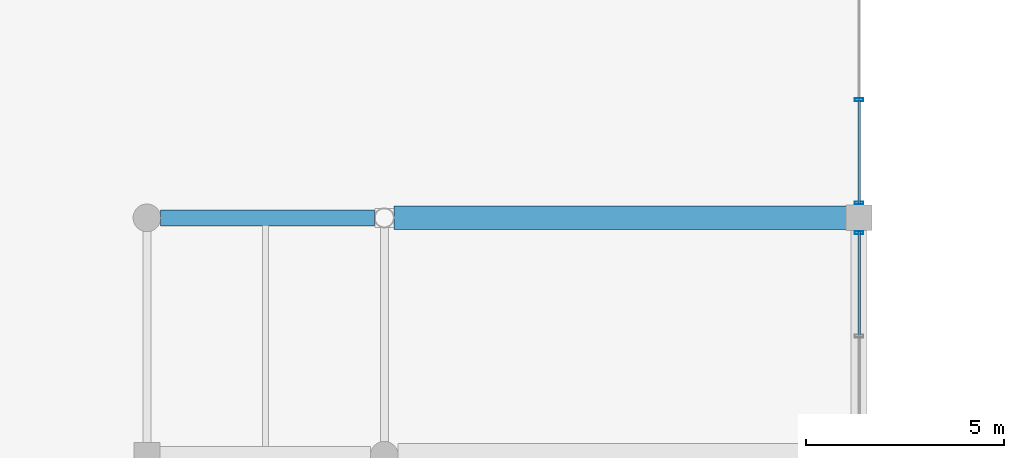
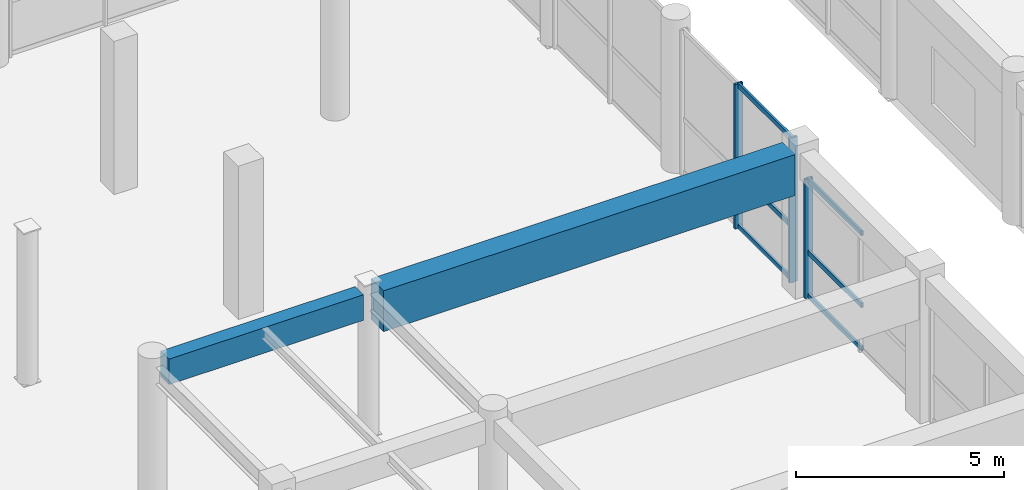
# One storey, part 59 of 116: 9 members, 2 beams, 2 elements without a shape of their own.
"""IFC4 building model written with IfcOpenShell, lengths in metres."""

import ifcopenshell
import ifcopenshell.guid

model = None  # the IFC model being written
_history = None  # IfcOwnerHistory: only IFC2X3 demands one
_inside = {}  # id of a spatial element -> (the spatial element, [elements in it])
_under = {}  # id of a project, library or spatial element -> (it, [spatial elements below it])
_declared = {}  # id of a project -> (the project, [libraries it declares])
_typed = {}  # id of a type object -> (the type object, [elements of that type])
_made_of = {}  # id of a material, layer set ... -> (it, [elements and type objects made of it])


def new_model(schema):
    """Start an empty IFC model of exactly this schema.

    Asked for "IFC4X3", IfcOpenShell would pick the latest addendum, in which some entities
    have other attributes; the version numbers below select the first issue.
    IFC2X3 requires an IfcOwnerHistory on every rooted entity: one is made here for all.
    """
    global model, _history
    if schema == "IFC4X3":
        model = ifcopenshell.file(schema_version=(4, 3, 0, 0))
    else:
        model = ifcopenshell.file(schema=schema)
    _inside.clear()
    _under.clear()
    _declared.clear()
    _typed.clear()
    _made_of.clear()
    _history = None
    if model.schema == "IFC2X3":
        org = make("IfcOrganization", Name="unknown")
        user = make(
            "IfcPersonAndOrganization",
            ThePerson=make("IfcPerson", FamilyName="unknown"),
            TheOrganization=org,
        )
        app = make(
            "IfcApplication",
            ApplicationDeveloper=org,
            Version="unknown",
            ApplicationFullName="unknown",
            ApplicationIdentifier="unknown",
        )
        _history = make(
            "IfcOwnerHistory",
            OwningUser=user,
            OwningApplication=app,
            ChangeAction="ADDED",
            CreationDate=0,
        )
    return model


def make(cls, **values):
    """One entity of the class cls with the attributes given. An attribute that is None is left unset."""
    return model.create_entity(
        cls, **{name: value for name, value in values.items() if value is not None}
    )


def rooted(cls, **values):
    """An entity with a GlobalId (a new one), such as an element, a storey or a relation."""
    return make(cls, GlobalId=ifcopenshell.guid.new(), OwnerHistory=_history, **values)


def si_unit(unit_type, name, prefix=None):
    """IfcSIUnit, for example si_unit("LENGTHUNIT", "METRE", prefix="MILLI")."""
    return make("IfcSIUnit", UnitType=unit_type, Prefix=prefix, Name=name)


def assignment(units):
    """IfcUnitAssignment: the units of a project."""
    return None if units is None else make("IfcUnitAssignment", Units=units)


def point(xyz):
    """IfcCartesianPoint."""
    return None if xyz is None else make("IfcCartesianPoint", Coordinates=xyz)


def direction(xyz):
    """IfcDirection."""
    return None if xyz is None else make("IfcDirection", DirectionRatios=xyz)


def frame(location, z_axis=None, x_axis=None):
    """IfcAxis2Placement3D, a coordinate frame: its origin and axes. An axis left out is left unset."""
    return make(
        "IfcAxis2Placement3D",
        Location=point(location),
        Axis=direction(z_axis),
        RefDirection=direction(x_axis),
    )


def frame_2d(location, x_axis=None):
    """IfcAxis2Placement2D, a coordinate frame in the plane: its origin and x axis."""
    return make(
        "IfcAxis2Placement2D", Location=point(location), RefDirection=direction(x_axis)
    )


def origin():
    """The frame at (0, 0, 0) with its axes left unset."""
    return frame((0.0, 0.0, 0.0))


def origin_2d():
    """The frame at (0, 0) in the plane with its x axis left unset."""
    return frame_2d((0.0, 0.0))


def place(relative_to, where):
    """IfcLocalPlacement: puts the frame where relative to a parent placement (None: the world)."""
    return make(
        "IfcLocalPlacement", PlacementRelTo=relative_to, RelativePlacement=where
    )


def context(
    kind, dimensions, precision=None, world=None, true_north=None, identifier=None
):
    """IfcGeometricRepresentationContext, for example the 3D "Model" context."""
    return make(
        "IfcGeometricRepresentationContext",
        ContextIdentifier=identifier,
        ContextType=kind,
        CoordinateSpaceDimension=dimensions,
        Precision=precision,
        WorldCoordinateSystem=world,
        TrueNorth=true_north,
    )


def subcontext(parent, identifier, kind, view, scale=None):
    """IfcGeometricRepresentationSubContext, for example "Body" below "Model"."""
    return make(
        "IfcGeometricRepresentationSubContext",
        ContextIdentifier=identifier,
        ContextType=kind,
        ParentContext=parent,
        TargetScale=scale,
        TargetView=view,
    )


def project(units=None, contexts=None):
    """IfcProject with its units and contexts."""
    return rooted(
        "IfcProject",
        Name="project",
        RepresentationContexts=contexts,
        UnitsInContext=assignment(units),
    )


def spatial(cls, under=None, at=None, **own):
    """A site, building, storey or space (cls), placed at a placement, below another one or the project."""
    s = rooted(cls, ObjectPlacement=at, **own)
    if under is not None:
        _under.setdefault(under.id(), (under, []))[1].append(s)
    return s


def profile(cls, at=None, kind="AREA", **sizes):
    """A parametric profile (cls). Its sizes go by their IFC names, for example OverallWidth=200.0."""
    return make(cls, ProfileType=kind, Position=at, **sizes)


def rectangle(**sizes):
    """IfcRectangleProfileDef."""
    return profile("IfcRectangleProfileDef", **sizes)


def hollow_rectangle(**sizes):
    """IfcRectangleHollowProfileDef."""
    return profile("IfcRectangleHollowProfileDef", **sizes)


def extrude(swept, where, along, depth):
    """IfcExtrudedAreaSolid: the profile swept, set in the frame where, extruded along a direction by depth."""
    return make(
        "IfcExtrudedAreaSolid",
        SweptArea=swept,
        Position=where,
        ExtrudedDirection=direction(along),
        Depth=depth,
    )


def shape(context_of_items, identifier, shape_type, items):
    """IfcShapeRepresentation: the items that make up one representation, for example the "Body"."""
    return make(
        "IfcShapeRepresentation",
        ContextOfItems=context_of_items,
        RepresentationIdentifier=identifier,
        RepresentationType=shape_type,
        Items=items,
    )


def material(Name=None, Category=None):
    """IfcMaterial."""
    return make("IfcMaterial", Name=Name, Category=Category)


def material_profile(
    of_material, cross_section, Name=None, Category=None, Priority=None
):
    """IfcMaterialProfile: a cross section and its material."""
    return make(
        "IfcMaterialProfile",
        Name=Name,
        Material=of_material,
        Profile=cross_section,
        Priority=Priority,
        Category=Category,
    )


def profile_set(profiles, Name=None, composite=None):
    """IfcMaterialProfileSet."""
    return make(
        "IfcMaterialProfileSet",
        Name=Name,
        MaterialProfiles=profiles,
        CompositeProfile=composite,
    )


def made_of(thing, what):
    """Note that an element or type object is made of a material, layer set ...; save() writes the relation."""
    if what is not None:
        _made_of.setdefault(what.id(), (what, []))[1].append(thing)
    return thing


def type_object(cls, material=None, **own):
    """A type object (cls), such as IfcWallType, which elements share."""
    return made_of(rooted(cls, **own), material)


def element(
    cls,
    number,
    at=None,
    inside=None,
    cuts=None,
    type_object=None,
    material=None,
    context=None,
    identifier="Body",
    shape_type=None,
    held_by="IfcProductDefinitionShape",
    body=None,
    shapes=None,
    **own,
):
    """One element of the class cls, such as IfcWall. Its Tag is "e" and its number.

    at: its placement. inside: the storey or other place that contains it. cuts: it is an
    opening in that element (IfcRelVoidsElement). A single representation is given by context,
    identifier, shape_type and body (its items); several are given by shapes. held_by: the class
    of the entity that holds the representations. save() writes the other relations.
    """
    e = rooted(cls, Tag="e%d" % number, ObjectPlacement=at, **own)
    if body is not None:
        shapes = [shape(context, identifier, shape_type, body)]
    if shapes is not None:
        e.Representation = make(held_by, Representations=shapes)
    if inside is not None:
        _inside.setdefault(inside.id(), (inside, []))[1].append(e)
    if cuts is not None:
        rooted(
            "IfcRelVoidsElement", RelatingBuildingElement=cuts, RelatedOpeningElement=e
        )
    if type_object is not None:
        _typed.setdefault(type_object.id(), (type_object, []))[1].append(e)
    return made_of(e, material)


def aggregate(whole, parts):
    """IfcRelAggregates: a whole, such as a stair, and the parts it consists of."""
    return rooted("IfcRelAggregates", RelatingObject=whole, RelatedObjects=parts)


def save(model, path):
    """Write the relations noted so far, then the file.

    IfcRelAggregates (storeys below a building ...), IfcRelContainedInSpatialStructure (elements
    in a storey), IfcRelDefinesByType, IfcRelAssociatesMaterial and IfcRelDeclares: one each for
    every whole, place, type object, material and project.
    """
    for whole, parts in _under.values():
        aggregate(whole, parts)
    for where, things in _inside.values():
        rooted(
            "IfcRelContainedInSpatialStructure",
            RelatedElements=things,
            RelatingStructure=where,
        )
    for kind, things in _typed.values():
        rooted("IfcRelDefinesByType", RelatedObjects=things, RelatingType=kind)
    for what, things in _made_of.values():
        rooted("IfcRelAssociatesMaterial", RelatedObjects=things, RelatingMaterial=what)
    for by, libraries in _declared.values():
        rooted("IfcRelDeclares", RelatingContext=by, RelatedDefinitions=libraries)
    model.write(path)


model = new_model("IFC4")

# Units and contexts
model_context = context("Model", 3, precision=1e-05, world=origin(), true_north=direction((0.0, 1.0)))
body_context = subcontext(model_context, "Body", "Model", "MODEL_VIEW")
ifc_project = project(units=[si_unit("LENGTHUNIT", "METRE"), si_unit("AREAUNIT", "SQUARE_METRE"), si_unit("VOLUMEUNIT", "CUBIC_METRE"), si_unit("PLANEANGLEUNIT", "RADIAN"), si_unit("MASSUNIT", "GRAM", prefix="KILO"), si_unit("THERMODYNAMICTEMPERATUREUNIT", "KELVIN"), si_unit("POWERUNIT", "WATT")], contexts=[model_context])

# Site, building, storey
site_placement = place(None, origin())
site = spatial("IfcSite", under=ifc_project, at=site_placement, CompositionType="ELEMENT")
building_placement = place(site_placement, origin())
building = spatial("IfcBuilding", under=site, at=building_placement, Name="Phaisarnlok Congress Hotel", CompositionType="ELEMENT")
storey_placement = place(building_placement, frame((0.0, 0.0, 10.5)))
storey = spatial("IfcBuildingStorey", under=building, at=storey_placement, Name="L02", CompositionType="ELEMENT", Elevation=10.5)

# Beam
ifc_material_1 = material(Name="Concrete C50/60", Category="concrete")
ifc_material_profile_1 = material_profile(ifc_material_1, rectangle(XDim=0.60009765625, YDim=1.199951171875, at=origin_2d()), Name="RC 600x1200")
ifc_profile_set_1 = profile_set([ifc_material_profile_1], Name="Concrete C50/60")
beam_type_1 = type_object("IfcBeamType", Name="BM-RC-600x1200", PredefinedType="BEAM", material=ifc_profile_set_1)
beam_1_placement = place(storey_placement, frame((144.2490234375, 66.0, 3.639892578125), z_axis=(1.0, 0.0, 0.0), x_axis=(0.0, 1.0, 0.0)))
element("IfcBeam", 1, at=beam_1_placement, inside=storey, type_object=beam_type_1, Name="Ramp bay 12m girder B-06", PredefinedType="BEAM", context=body_context, shape_type="SweptSolid", body=[
    extrude(rectangle(XDim=0.60009765625, YDim=1.199951171875, at=origin_2d()), origin(), (0.0, 0.0, 1.0), 11.430908203125),
])

# Curtain wall, member
ifc_material_2 = material(Name="Thermally Broken Unitised Aluminium & Low-E Glazing", Category="aluminium")
curtain_wall_type_1 = type_object("IfcCurtainWallType", Name="CW-UNIT-16", PredefinedType="NOTDEFINED", material=ifc_material_2)
curtain_wall_1_placement = place(storey_placement, origin())
curtain_wall_1 = element("IfcCurtainWall", 2, at=curtain_wall_1_placement, inside=storey, type_object=curtain_wall_type_1, Name="Unitised curtain wall CW-16 (L02)", PredefinedType="NOTDEFINED")
ifc_material_3 = material(Name="Anodised Aluminium Alloy 6063-T6", Category="aluminium")
ifc_material_profile_2 = material_profile(ifc_material_3, hollow_rectangle(XDim=0.074951171875, YDim=0.219970703125, WallThickness=0.0048828125, at=origin_2d()), Name="ALU-M 75x220x5")
ifc_profile_set_2 = profile_set([ifc_material_profile_2], Name="Anodised Aluminium Alloy 6063-T6")
member_type_1 = type_object("IfcMemberType", Name="CWM-220", PredefinedType="MULLION", material=ifc_profile_set_2)
member_1_placement = place(storey_placement, frame((156.0, 65.625, 0.0), z_axis=(0.0, 0.0, 1.0), x_axis=(0.0, 1.0, 0.0)))
member_1 = element("IfcMember", 3, at=member_1_placement, type_object=member_type_1, Name="Curtain wall mullion CWM-02", PredefinedType="MULLION", context=body_context, shape_type="SweptSolid", body=[
    extrude(hollow_rectangle(XDim=0.074951171875, YDim=0.219970703125, WallThickness=0.0048828125, at=origin_2d()), origin(), (0.0, 0.0, 1.0), 3.489990234375),
])

# Curtain wall, members
curtain_wall_type_2 = type_object("IfcCurtainWallType", Name="CW-UNIT-25", PredefinedType="NOTDEFINED", material=ifc_material_2)
curtain_wall_2_placement = place(storey_placement, origin())
curtain_wall_2 = element("IfcCurtainWall", 4, at=curtain_wall_2_placement, inside=storey, type_object=curtain_wall_type_2, Name="Unitised curtain wall CW-25 (L02)", PredefinedType="NOTDEFINED")
member_2_placement = place(storey_placement, frame((156.0, 66.375, 0.0), z_axis=(0.0, 0.0, 1.0), x_axis=(0.0, 1.0, 0.0)))
member_2 = element("IfcMember", 5, at=member_2_placement, type_object=member_type_1, Name="Curtain wall mullion CWM-02", PredefinedType="MULLION", context=body_context, shape_type="SweptSolid", body=[
    extrude(hollow_rectangle(XDim=0.074951171875, YDim=0.219970703125, WallThickness=0.0048828125, at=origin_2d()), origin(), (0.0, 0.0, 1.0), 4.239990234375),
])
member_3_placement = place(storey_placement, frame((156.0, 68.987548828125, 0.0), z_axis=(0.0, 0.0, 1.0), x_axis=(0.0, 1.0, 0.0)))
member_3 = element("IfcMember", 6, at=member_3_placement, type_object=member_type_1, Name="Curtain wall mullion CWM-02", PredefinedType="MULLION", context=body_context, shape_type="SweptSolid", body=[
    extrude(hollow_rectangle(XDim=0.074951171875, YDim=0.219970703125, WallThickness=0.0048828125, at=origin_2d()), origin(), (0.0, 0.0, 1.0), 4.239990234375),
])

# Member
ifc_material_profile_3 = material_profile(ifc_material_3, hollow_rectangle(XDim=0.06494140625, YDim=0.139892578125, WallThickness=0.00390625, at=origin_2d()), Name="ALU-T 65x140x4")
ifc_profile_set_3 = profile_set([ifc_material_profile_3], Name="Anodised Aluminium Alloy 6063-T6")
member_type_2 = type_object("IfcMemberType", Name="CWT-150", PredefinedType="USERDEFINED", material=ifc_profile_set_3)
member_4_placement = place(storey_placement, frame((156.0, 63.027587890625, 0.050048828125), z_axis=(0.0, 1.0, 0.0), x_axis=(-1.0, 0.0, 0.0)))
member_4 = element("IfcMember", 7, at=member_4_placement, type_object=member_type_2, Name="Curtain wall transom CWT-01", ObjectType="TRANSOM", PredefinedType="USERDEFINED", context=body_context, shape_type="SweptSolid", body=[
    extrude(hollow_rectangle(XDim=0.06494140625, YDim=0.139892578125, WallThickness=0.00390625, at=origin_2d()), origin(), (0.0, 0.0, 1.0), 2.622314453125),
])

member_5_placement = place(storey_placement, frame((156.0, 63.027587890625, 1.326171875), z_axis=(0.0, 1.0, 0.0), x_axis=(-1.0, 0.0, 0.0)))
member_5 = element("IfcMember", 8, at=member_5_placement, type_object=member_type_2, Name="Curtain wall transom CWT-01", ObjectType="TRANSOM", PredefinedType="USERDEFINED", context=body_context, shape_type="SweptSolid", body=[
    extrude(hollow_rectangle(XDim=0.06494140625, YDim=0.139892578125, WallThickness=0.00390625, at=origin_2d()), origin(), (0.0, 0.0, 1.0), 2.622314453125),
])

member_6_placement = place(storey_placement, frame((156.0, 63.027587890625, 3.43994140625), z_axis=(0.0, 1.0, 0.0), x_axis=(-1.0, 0.0, 0.0)))
member_6 = element("IfcMember", 9, at=member_6_placement, type_object=member_type_2, Name="Curtain wall transom CWT-01", ObjectType="TRANSOM", PredefinedType="USERDEFINED", context=body_context, shape_type="SweptSolid", body=[
    extrude(hollow_rectangle(XDim=0.06494140625, YDim=0.139892578125, WallThickness=0.00390625, at=origin_2d()), origin(), (0.0, 0.0, 1.0), 2.622314453125),
])

aggregate(curtain_wall_1, [member_1, member_4, member_5, member_6])

member_7_placement = place(storey_placement, frame((156.0, 66.35009765625, 0.050048828125), z_axis=(0.0, 1.0, 0.0), x_axis=(-1.0, 0.0, 0.0)))
member_7 = element("IfcMember", 10, at=member_7_placement, type_object=member_type_2, Name="Curtain wall transom CWT-01", ObjectType="TRANSOM", PredefinedType="USERDEFINED", context=body_context, shape_type="SweptSolid", body=[
    extrude(hollow_rectangle(XDim=0.06494140625, YDim=0.139892578125, WallThickness=0.00390625, at=origin_2d()), origin(), (0.0, 0.0, 1.0), 2.622314453125),
])

member_8_placement = place(storey_placement, frame((156.0, 66.35009765625, 1.611083984375), z_axis=(0.0, 1.0, 0.0), x_axis=(-1.0, 0.0, 0.0)))
member_8 = element("IfcMember", 11, at=member_8_placement, type_object=member_type_2, Name="Curtain wall transom CWT-01", ObjectType="TRANSOM", PredefinedType="USERDEFINED", context=body_context, shape_type="SweptSolid", body=[
    extrude(hollow_rectangle(XDim=0.06494140625, YDim=0.139892578125, WallThickness=0.00390625, at=origin_2d()), origin(), (0.0, 0.0, 1.0), 2.622314453125),
])

member_9_placement = place(storey_placement, frame((156.0, 66.35009765625, 4.18994140625), z_axis=(0.0, 1.0, 0.0), x_axis=(-1.0, 0.0, 0.0)))
member_9 = element("IfcMember", 12, at=member_9_placement, type_object=member_type_2, Name="Curtain wall transom CWT-01", ObjectType="TRANSOM", PredefinedType="USERDEFINED", context=body_context, shape_type="SweptSolid", body=[
    extrude(hollow_rectangle(XDim=0.06494140625, YDim=0.139892578125, WallThickness=0.00390625, at=origin_2d()), origin(), (0.0, 0.0, 1.0), 2.622314453125),
])

aggregate(curtain_wall_2, [member_2, member_3, member_7, member_8, member_9])

# Beam
ifc_material_4 = material(Name="Concrete C40/50", Category="concrete")
ifc_material_profile_4 = material_profile(ifc_material_4, rectangle(XDim=0.39990234375, YDim=0.75, at=origin_2d()), Name="RC 400x750")
ifc_profile_set_4 = profile_set([ifc_material_profile_4], Name="Concrete C40/50")
beam_type_2 = type_object("IfcBeamType", Name="SP-RC-400x750", PredefinedType="SPANDREL", material=ifc_profile_set_4)
beam_2_placement = place(storey_placement, frame((138.344970703125, 66.0, 3.864990234375), z_axis=(1.0, 0.0, 0.0), x_axis=(0.0, 1.0, 0.0)))
element("IfcBeam", 13, at=beam_2_placement, inside=storey, type_object=beam_type_2, Name="Beam SP-02", PredefinedType="SPANDREL", context=body_context, shape_type="SweptSolid", body=[
    extrude(rectangle(XDim=0.39990234375, YDim=0.75, at=origin_2d()), origin(), (0.0, 0.0, 1.0), 5.406005859375),
])

save(model, "model.ifc")
